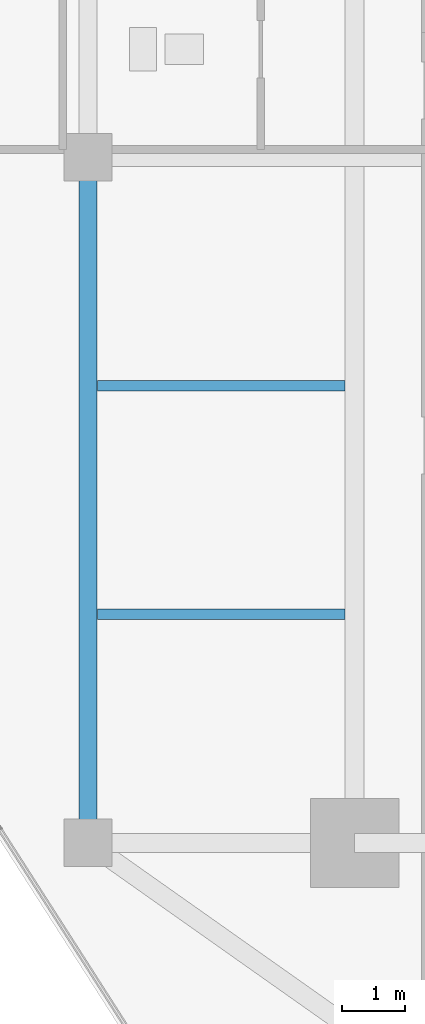
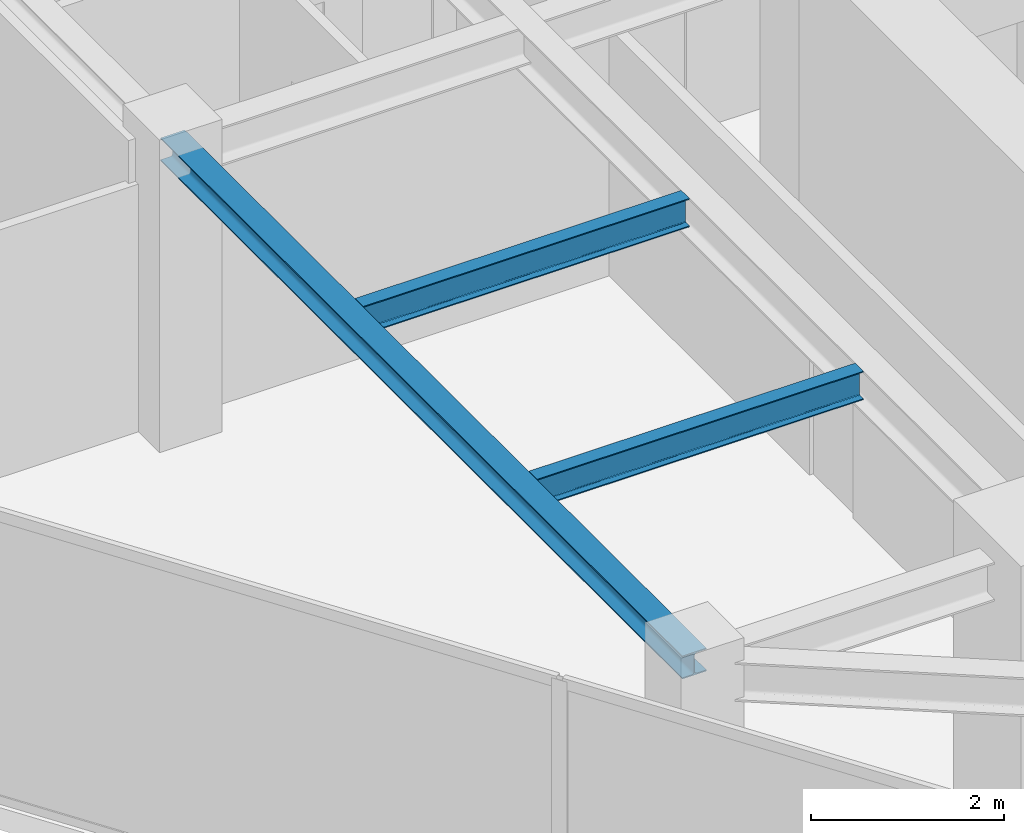
# One storey, part 5 of 20: 3 beams.
"""IFC4 building model written with IfcOpenShell, lengths in metres."""

from ifc_helpers import new_model, si_unit, direction, frame, origin, origin_2d, place, context, subcontext, project, spatial, i_section, extrude, source, transform, mapped, material, material_profile, profile_set, type_object, type_shapes, element, save


model = new_model("IFC4")

# Units and contexts
model_context = context("Model", 3, precision=1e-05, world=origin(), true_north=direction((0.0, 1.0)))
body_context = subcontext(model_context, "Body", "Model", "MODEL_VIEW")
ifc_project = project(units=[si_unit("LENGTHUNIT", "METRE"), si_unit("AREAUNIT", "SQUARE_METRE"), si_unit("VOLUMEUNIT", "CUBIC_METRE"), si_unit("PLANEANGLEUNIT", "RADIAN"), si_unit("MASSUNIT", "GRAM", prefix="KILO")], contexts=[model_context])

# Site, building, storey
site_placement = place(None, origin())
site = spatial("IfcSite", under=ifc_project, at=site_placement, CompositionType="ELEMENT")
building_placement = place(site_placement, origin())
building = spatial("IfcBuilding", under=site, at=building_placement, Name="Krantzveldt Concourse Tower", CompositionType="ELEMENT")
storey_placement = place(building_placement, frame((0.0, 0.0, 287.14990234375)))
storey = spatial("IfcBuildingStorey", under=building, at=storey_placement, Name="L70", CompositionType="ELEMENT", Elevation=287.14990234375)

# Beams
ifc_material = material(Name="Steel S355JR", Category="steel")
ifc_material_profile_1 = material_profile(ifc_material, i_section(OverallWidth=0.2900390625, OverallDepth=0.2900390625, WebThickness=0.008544921875, FlangeThickness=0.013916015625, FilletRadius=0.027099609375, at=origin_2d()), Name="Steel S355JR", Category="steel")
ifc_profile_set_1 = profile_set([ifc_material_profile_1], Name="Steel S355JR - HEA 300")
beam_type_1 = type_object("IfcBeamType", Name="BM-SP-HEA300", PredefinedType="SPANDREL", material=ifc_profile_set_1)
shared_shape_1 = source(origin(), body_context, "Body", "SweptSolid", [
    extrude(i_section(OverallWidth=0.2900390625, OverallDepth=0.2900390625, WebThickness=0.008544921875, FlangeThickness=0.013916015625, FilletRadius=0.027099609375, at=origin_2d()), origin(), (0.0, 0.0, 1.0), 10.800048828125),
])
type_shapes(beam_type_1, [shared_shape_1])
beam_placement = place(storey_placement, frame((21.0, 15.89990234375, 3.525146484375), z_axis=(0.0, 1.0, 0.0), x_axis=(-1.0, 0.0, 0.0)))
element("IfcBeam", 1, at=beam_placement, inside=storey, type_object=beam_type_1, Name="L70 Tower Girder SP-R01", PredefinedType="SPANDREL", context=body_context, shape_type="MappedRepresentation", body=[
    mapped(shared_shape_1, transform((0.0, 0.0, 0.0), x_axis=(1.0, 0.0, 0.0), y_axis=(0.0, 1.0, 0.0), z_axis=(0.0, 0.0, 1.0), scale=1.0)),
])
ifc_material_profile_2 = material_profile(ifc_material, i_section(OverallWidth=0.169921875, OverallDepth=0.360107421875, WebThickness=0.008056640625, FlangeThickness=0.0126953125, FilletRadius=0.01806640625, at=origin_2d()), Name="Steel S355JR", Category="steel")
ifc_profile_set_2 = profile_set([ifc_material_profile_2], Name="Steel S355JR - IPE 360")
beam_type_2 = type_object("IfcBeamType", Name="BM-J-IPE360", PredefinedType="JOIST", material=ifc_profile_set_2)
shared_shape_2 = source(origin(), body_context, "Body", "SweptSolid", [
    extrude(i_section(OverallWidth=0.169921875, OverallDepth=0.360107421875, WebThickness=0.008056640625, FlangeThickness=0.0126953125, FilletRadius=0.01806640625, at=origin_2d()), origin(), (0.0, 0.0, 1.0), 3.900146484375),
])
type_shapes(beam_type_2, [shared_shape_2])
for number, where, z_axis, x_axis, name in (
    (2, (21.14990234375, 19.5, 3.489990234375), (1.0, 0.0, 0.0), (0.0, 1.0, 0.0), "L70 Secondary Floor Joist JW-1"),
    (3, (21.14990234375, 23.10009765625, 3.489990234375), (1.0, 0.0, 0.0), (0.0, 1.0, 0.0), "L70 Secondary Floor Joist JW-2"),
):
    element("IfcBeam", number, at=place(storey_placement, frame(where, z_axis=z_axis, x_axis=x_axis)), inside=storey, type_object=beam_type_2, Name=name, PredefinedType="JOIST", context=body_context, shape_type="MappedRepresentation", body=[
        mapped(shared_shape_2, transform((0.0, 0.0, 0.0), x_axis=(1.0, 0.0, 0.0), y_axis=(0.0, 1.0, 0.0), z_axis=(0.0, 0.0, 1.0), scale=1.0)),
    ])

save(model, "model.ifc")
